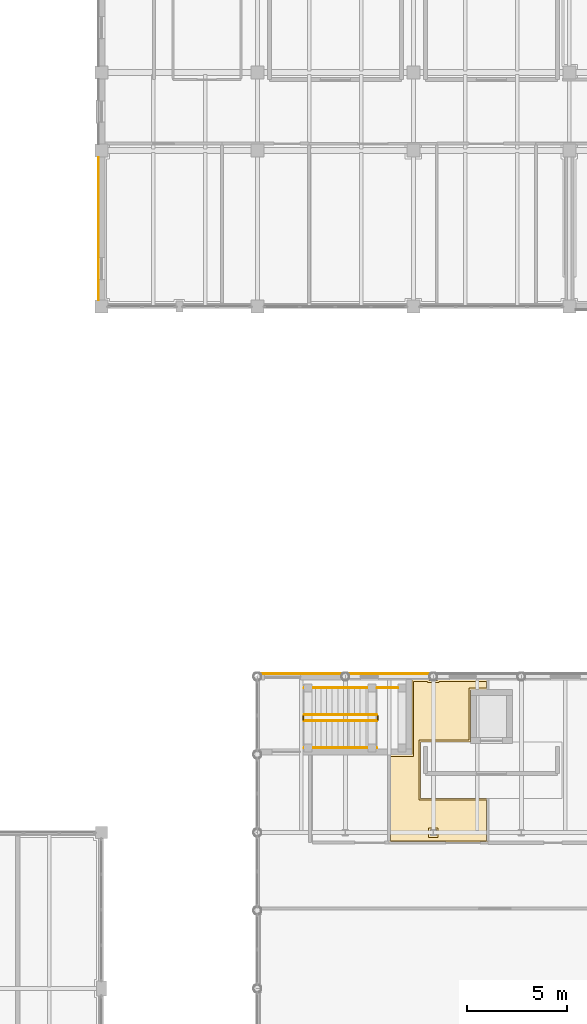
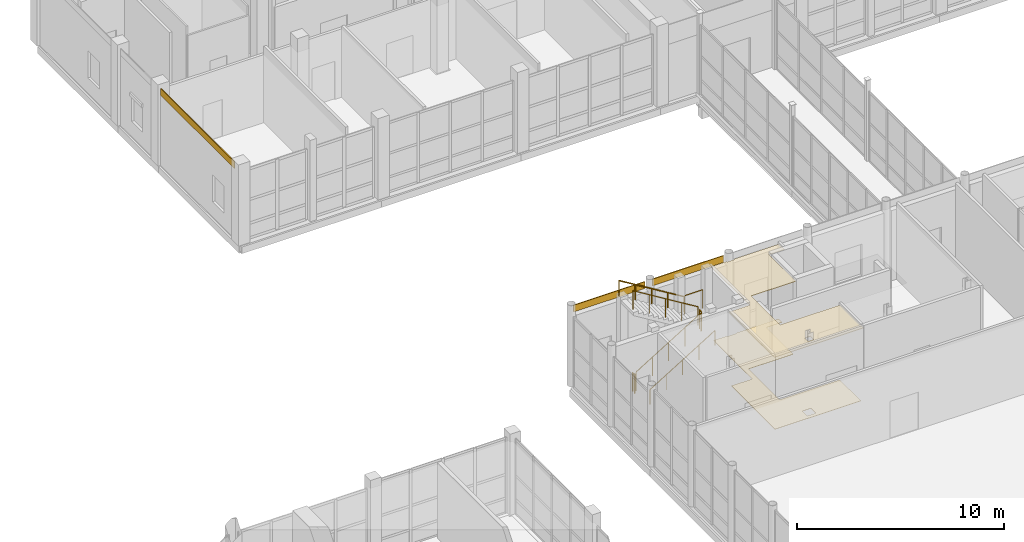
# One storey, part 119 of 131: 7 railings, 5 coverings.
"""IFC4 building model written with IfcOpenShell, lengths in metres."""

from ifc_helpers import new_model, si_unit, direction, frame, origin, origin_2d, place, context, subcontext, project, spatial, polyline, rectangle, circle, outline, extrude, material, layer, layer_set, type_object, element, save


model = new_model("IFC4")

# Units and contexts
model_context = context("Model", 3, precision=1e-05, world=origin(), true_north=direction((0.0, 1.0)))
body_context = subcontext(model_context, "Body", "Model", "MODEL_VIEW")
ifc_project = project(units=[si_unit("LENGTHUNIT", "METRE"), si_unit("AREAUNIT", "SQUARE_METRE"), si_unit("VOLUMEUNIT", "CUBIC_METRE"), si_unit("PLANEANGLEUNIT", "RADIAN"), si_unit("MASSUNIT", "GRAM", prefix="KILO")], contexts=[model_context])

# Site, building, storey
site_placement = place(None, origin())
site = spatial("IfcSite", under=ifc_project, at=site_placement, CompositionType="ELEMENT")
building_placement = place(site_placement, origin())
building = spatial("IfcBuilding", under=site, at=building_placement, Name="Celorna Specialist Clinic", CompositionType="ELEMENT")
storey_placement = place(building_placement, origin())
storey = spatial("IfcBuildingStorey", under=building, at=storey_placement, Name="L00", CompositionType="ELEMENT", Elevation=0.0)

# Coverings
ifc_material_1 = material(Name="Hygienic acoustic mineral-fibre ceiling")
ifc_layer_1 = layer(ifc_material_1, 0.030029296875, Name="Hygienic acoustic mineral-fibre ceiling")
ifc_layer_set_1 = layer_set([ifc_layer_1], Name="Hygienic acoustic mineral-fibre ceiling")
covering_type_1 = type_object("IfcCoveringType", Name="CE-01", PredefinedType="CEILING", material=ifc_layer_set_1)
covering_1_placement = place(storey_placement, frame((0.0, 0.0, 4.330078125)))
element("IfcCovering", 1, at=covering_1_placement, inside=storey, type_object=covering_type_1, Name="Acoustic ceiling L00-020", PredefinedType="CEILING", context=body_context, shape_type="SweptSolid", body=[
    extrude(outline(polyline([(63.19189453125, 77.844970703125), (63.19189453125, 77.791748046875), (63.608154296875, 77.791748046875), (63.608154296875, 77.844970703125), (66.135009765625, 77.844970703125), (66.135009765625, 77.3349609375), (65.264892578125, 77.3349609375), (65.264892578125, 74.735107421875), (62.764892578125, 74.735107421875), (62.764892578125, 71.9150390625), (66.135009765625, 71.9150390625), (66.135009765625, 69.68505859375), (61.155029296875, 69.68505859375), (61.155029296875, 74.094970703125), (62.324951171875, 74.094970703125), (62.324951171875, 77.844970703125), (63.19189453125, 77.844970703125)]), holes=[polyline([(63.554931640625, 70.35498046875), (63.2451171875, 70.35498046875), (63.2451171875, 70.044921875), (63.554931640625, 70.044921875), (63.554931640625, 70.35498046875)])]), origin(), (0.0, 0.0, 1.0), 0.030029296875),
])
ifc_material_2 = material(Name="Pero Pinheiro Lioz limestone rainscreen cladding", Category="masonry")
ifc_layer_2 = layer(ifc_material_2, 0.044921875, Name="Pero Pinheiro Lioz limestone rainscreen cladding")
ifc_layer_set_2 = layer_set([ifc_layer_2], Name="Pero Pinheiro Lioz limestone rainscreen cladding")
covering_type_2 = type_object("IfcCoveringType", Name="CL-01", PredefinedType="CLADDING", material=ifc_layer_set_2)
for number, where, z_axis, x_axis, name in (
    (2, (56.800048828125, 78.1474609375, 4.14013671875), (0.0, 0.0, 1.0), (1.0, 0.0, 0.0), "Lioz spandrel cladding #80"),
    (3, (61.199951171875, 78.1474609375, 4.14013671875), (0.0, 0.0, 1.0), (1.0, 0.0, 0.0), "Lioz spandrel cladding #81"),
):
    element("IfcCovering", number, at=place(storey_placement, frame(where, z_axis=z_axis, x_axis=x_axis)), inside=storey, type_object=covering_type_2, Name=name, PredefinedType="CLADDING", context=body_context, shape_type="SweptSolid", body=[
        extrude(rectangle(XDim=3.99365234375, YDim=0.044921875, at=origin_2d()), origin(), (0.0, 0.0, 1.0), 0.39990234375),
    ])
covering_2_placement = place(storey_placement, frame((46.652587890625, 100.39990234375, 4.14013671875), z_axis=(0.0, 0.0, 1.0), x_axis=(0.0, 1.0, 0.0)))
element("IfcCovering", 4, at=covering_2_placement, inside=storey, type_object=covering_type_2, Name="Lioz spandrel cladding #181", PredefinedType="CLADDING", context=body_context, shape_type="SweptSolid", body=[
    extrude(rectangle(XDim=7.14990234375, YDim=0.044921875, at=origin_2d()), origin(), (0.0, 0.0, 1.0), 0.39990234375),
])
ifc_material_3 = material(Name="Seamless antimicrobial clinical vinyl and Lioz terrazzo flooring")
ifc_layer_3 = layer(ifc_material_3, 0.02001953125, Name="Seamless antimicrobial clinical vinyl and Lioz terrazzo flooring")
ifc_layer_set_3 = layer_set([ifc_layer_3], Name="Seamless antimicrobial clinical vinyl and Lioz terrazzo flooring")
covering_type_3 = type_object("IfcCoveringType", Name="FL-01", PredefinedType="FLOORING", material=ifc_layer_set_3)
covering_3_placement = place(storey_placement, origin())
element("IfcCovering", 5, at=covering_3_placement, inside=storey, type_object=covering_type_3, Name="Antimicrobial clinical flooring L00-020", PredefinedType="FLOORING", context=body_context, shape_type="SweptSolid", body=[
    extrude(outline(polyline([(62.4150390625, 77.7548828125), (63.11181640625, 77.7548828125), (63.11181640625, 77.7119140625), (63.688232421875, 77.7119140625), (63.688232421875, 77.7548828125), (66.044921875, 77.7548828125), (66.044921875, 77.425048828125), (65.175048828125, 77.425048828125), (65.175048828125, 74.824951171875), (62.675048828125, 74.824951171875), (62.675048828125, 71.824951171875), (66.044921875, 71.824951171875), (66.044921875, 69.77490234375), (61.2451171875, 69.77490234375), (61.2451171875, 74.0048828125), (62.4150390625, 74.0048828125), (62.4150390625, 77.7548828125)]), holes=[polyline([(63.635009765625, 70.43505859375), (63.1650390625, 70.43505859375), (63.1650390625, 69.965087890625), (63.635009765625, 69.965087890625), (63.635009765625, 70.43505859375)])]), origin(), (0.0, 0.0, 1.0), 0.02001953125),
])

# Railings
ifc_material_4 = material(Name="Powder-coated steel S355", Category="steel")
railing_type_1 = type_object("IfcRailingType", Name="GR-01", PredefinedType="GUARDRAIL", material=ifc_material_4)
railing_1_placement = place(storey_placement, frame((56.93994140625, 75.780029296875, 0.17138671875)))
element("IfcRailing", 6, at=railing_1_placement, inside=storey, type_object=railing_type_1, Name="L00 ST-10 stair guard 1", PredefinedType="GUARDRAIL", context=body_context, shape_type="SweptSolid", body=[
    extrude(circle(Radius=0.02392578125, at=origin_2d()), frame((0.0, 0.0, 1.09619140625), z_axis=(0.852865859571, 0.0, 0.52213008492), x_axis=(0.0, 1.0, 0.0)), (0.0, 0.0, 1.0), 4.26806640625),
    extrude(circle(Radius=0.02099609375, at=origin_2d()), origin(), (0.0, 0.0, 1.0), 1.072021484375),
    extrude(circle(Radius=0.02099609375, at=origin_2d()), frame((0.91015625, 0.0, 0.55712890625)), (0.0, 0.0, 1.0), 1.072021484375),
    extrude(circle(Radius=0.02099609375, at=origin_2d()), frame((1.820068359375, 0.0, 1.1142578125)), (0.0, 0.0, 1.0), 1.072021484375),
    extrude(circle(Radius=0.02099609375, at=origin_2d()), frame((2.72998046875, 0.0, 1.67138671875)), (0.0, 0.0, 1.0), 1.072021484375),
    extrude(circle(Radius=0.02099609375, at=origin_2d()), frame((3.64013671875, 0.0, 2.228515625)), (0.0, 0.0, 1.0), 1.072021484375),
])
railing_2_placement = place(storey_placement, frame((60.6298828125, 75.830078125, 2.39990234375)))
element("IfcRailing", 7, at=railing_2_placement, inside=storey, type_object=railing_type_1, Name="L00 ST-10 stair guard 2", PredefinedType="GUARDRAIL", context=body_context, shape_type="SweptSolid", body=[
    extrude(circle(Radius=0.02392578125, at=origin_2d()), frame((0.0, 0.0, 1.09619140625), z_axis=(0.0, 1.0, 0.0), x_axis=(-1.0, 0.0, 0.0)), (0.0, 0.0, 1.0), 0.199951171875),
    extrude(circle(Radius=0.02099609375, at=origin_2d()), origin(), (0.0, 0.0, 1.0), 1.072021484375),
    extrude(circle(Radius=0.02099609375, at=origin_2d()), frame((0.0, 0.199951171875, 0.0)), (0.0, 0.0, 1.0), 1.072021484375),
])
railing_3_placement = place(storey_placement, frame((60.580078125, 76.080078125, 2.571533203125)))
element("IfcRailing", 8, at=railing_3_placement, inside=storey, type_object=railing_type_1, Name="L00 ST-10 stair guard 3", PredefinedType="GUARDRAIL", context=body_context, shape_type="SweptSolid", body=[
    extrude(circle(Radius=0.02392578125, at=origin_2d()), frame((0.0, 0.0, 1.09619140625), z_axis=(-0.852865859571, 0.0, 0.52213008492), x_axis=(0.0, -1.0, 0.0)), (0.0, 0.0, 1.0), 4.26806640625),
    extrude(circle(Radius=0.02099609375, at=origin_2d()), origin(), (0.0, 0.0, 1.0), 1.072021484375),
    extrude(circle(Radius=0.02099609375, at=origin_2d()), frame((-0.91015625, 0.0, 0.55712890625)), (0.0, 0.0, 1.0), 1.072021484375),
    extrude(circle(Radius=0.02099609375, at=origin_2d()), frame((-1.820068359375, 0.0, 1.1142578125)), (0.0, 0.0, 1.0), 1.072021484375),
    extrude(circle(Radius=0.02099609375, at=origin_2d()), frame((-2.72998046875, 0.0, 1.67138671875)), (0.0, 0.0, 1.0), 1.072021484375),
    extrude(circle(Radius=0.02099609375, at=origin_2d()), frame((-3.64013671875, 0.0, 2.228515625)), (0.0, 0.0, 1.0), 1.072021484375),
])
railing_4_placement = place(storey_placement, frame((56.889892578125, 75.830078125, 0.0)))
element("IfcRailing", 9, at=railing_4_placement, inside=storey, type_object=railing_type_1, Name="L00 ST-10 stair guard 4", PredefinedType="GUARDRAIL", context=body_context, shape_type="SweptSolid", body=[
    extrude(circle(Radius=0.02392578125, at=origin_2d()), frame((0.0, 0.0, 1.09619140625), z_axis=(0.0, 1.0, 0.0), x_axis=(-1.0, 0.0, 0.0)), (0.0, 0.0, 1.0), 0.199951171875),
    extrude(circle(Radius=0.02099609375, at=origin_2d()), origin(), (0.0, 0.0, 1.0), 1.072021484375),
    extrude(circle(Radius=0.02099609375, at=origin_2d()), frame((0.0, 0.199951171875, 0.0)), (0.0, 0.0, 1.0), 1.072021484375),
])
railing_5_placement = place(storey_placement, frame((60.60009765625, 77.429931640625, 2.39990234375)))
element("IfcRailing", 10, at=railing_5_placement, inside=storey, type_object=railing_type_1, Name="Stair ST-10 half-landing north guard L00", PredefinedType="GUARDRAIL", context=body_context, shape_type="SweptSolid", body=[
    extrude(circle(Radius=0.02392578125, at=origin_2d()), frame((0.0, 0.0, 1.09619140625), z_axis=(1.0, 0.0, 0.0), x_axis=(0.0, 1.0, 0.0)), (0.0, 0.0, 1.0), 1.02001953125),
    extrude(circle(Radius=0.02099609375, at=origin_2d()), origin(), (0.0, 0.0, 1.0), 1.072021484375),
    extrude(circle(Radius=0.02099609375, at=origin_2d()), frame((1.02001953125, 0.0, 0.0)), (0.0, 0.0, 1.0), 1.072021484375),
])
ifc_material_5 = material(Name="Brushed stainless steel handrail", Category="steel")
railing_type_2 = type_object("IfcRailingType", Name="HR-01", PredefinedType="HANDRAIL", material=ifc_material_5)
railing_6_placement = place(storey_placement, frame((56.93994140625, 74.429931640625, 0.17138671875)))
element("IfcRailing", 11, at=railing_6_placement, inside=storey, type_object=railing_type_2, Name="L00 ST-10 stair handrail 1", PredefinedType="HANDRAIL", context=body_context, shape_type="SweptSolid", body=[
    extrude(circle(Radius=0.02392578125, at=origin_2d()), frame((0.0, 0.0, 0.8759765625), z_axis=(0.852865859571, 0.0, 0.52213008492), x_axis=(0.0, 1.0, 0.0)), (0.0, 0.0, 1.0), 4.26806640625),
    extrude(circle(Radius=0.02099609375, at=origin_2d()), origin(), (0.0, 0.0, 1.0), 0.851806640625),
    extrude(circle(Radius=0.02099609375, at=origin_2d()), frame((0.91015625, 0.0, 0.55712890625)), (0.0, 0.0, 1.0), 0.851806640625),
    extrude(circle(Radius=0.02099609375, at=origin_2d()), frame((1.820068359375, 0.0, 1.1142578125)), (0.0, 0.0, 1.0), 0.851806640625),
    extrude(circle(Radius=0.02099609375, at=origin_2d()), frame((2.72998046875, 0.0, 1.67138671875)), (0.0, 0.0, 1.0), 0.851806640625),
    extrude(circle(Radius=0.02099609375, at=origin_2d()), frame((3.64013671875, 0.0, 2.228515625)), (0.0, 0.0, 1.0), 0.851806640625),
])
railing_7_placement = place(storey_placement, frame((60.580078125, 77.429931640625, 2.571533203125)))
element("IfcRailing", 12, at=railing_7_placement, inside=storey, type_object=railing_type_2, Name="L00 ST-10 stair handrail 2", PredefinedType="HANDRAIL", context=body_context, shape_type="SweptSolid", body=[
    extrude(circle(Radius=0.02392578125, at=origin_2d()), frame((0.0, 0.0, 0.8759765625), z_axis=(-0.852865859571, 0.0, 0.52213008492), x_axis=(0.0, -1.0, 0.0)), (0.0, 0.0, 1.0), 4.26806640625),
    extrude(circle(Radius=0.02099609375, at=origin_2d()), origin(), (0.0, 0.0, 1.0), 0.851806640625),
    extrude(circle(Radius=0.02099609375, at=origin_2d()), frame((-0.91015625, 0.0, 0.55712890625)), (0.0, 0.0, 1.0), 0.851806640625),
    extrude(circle(Radius=0.02099609375, at=origin_2d()), frame((-1.820068359375, 0.0, 1.1142578125)), (0.0, 0.0, 1.0), 0.851806640625),
    extrude(circle(Radius=0.02099609375, at=origin_2d()), frame((-2.72998046875, 0.0, 1.67138671875)), (0.0, 0.0, 1.0), 0.851806640625),
    extrude(circle(Radius=0.02099609375, at=origin_2d()), frame((-3.64013671875, 0.0, 2.228515625)), (0.0, 0.0, 1.0), 0.851806640625),
])

save(model, "model.ifc")
